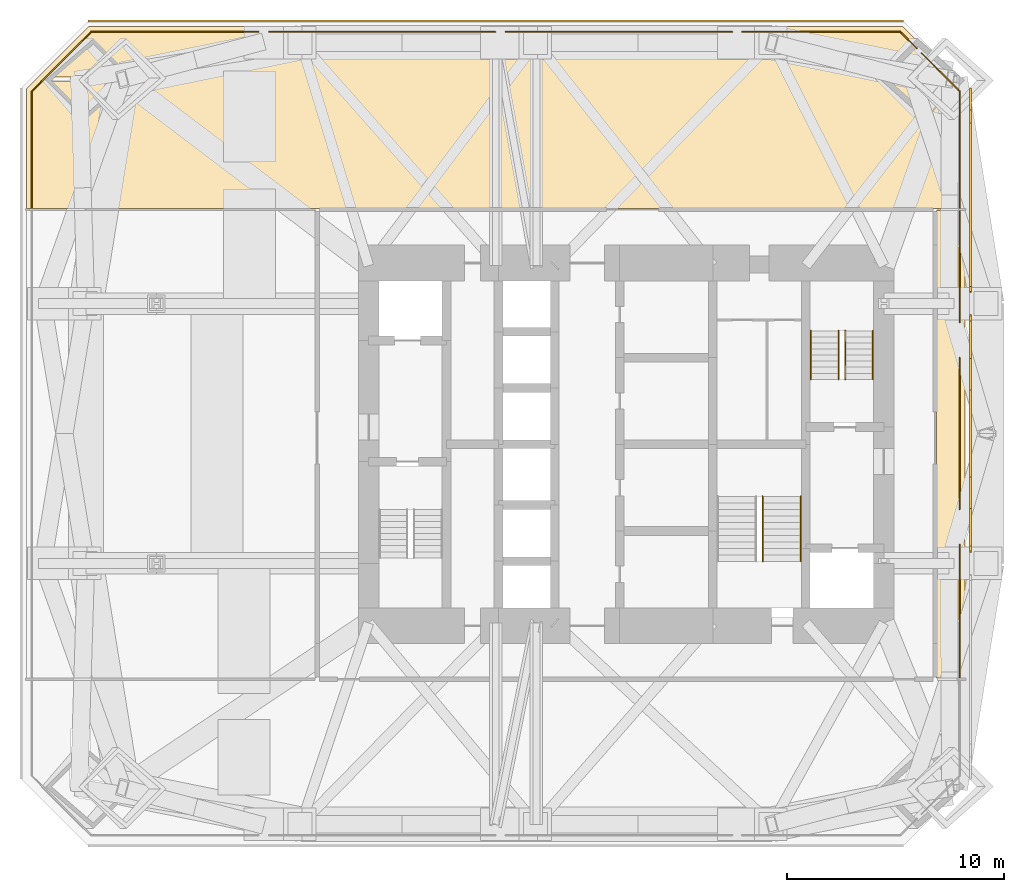
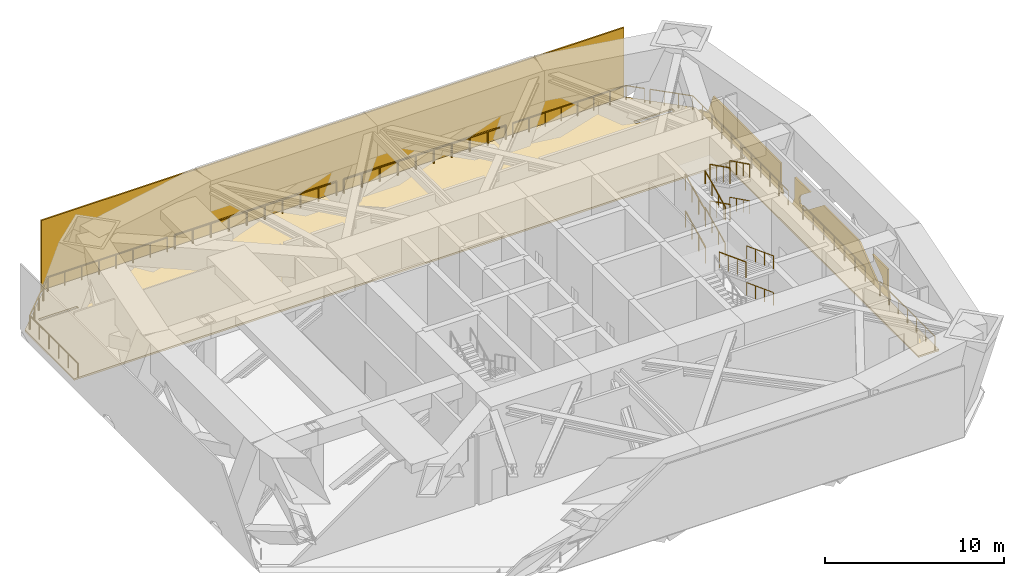
# One storey, part 8 of 8: 23 railings, 3 shading devices, 2 coverings.
"""IFC4 building model written with IfcOpenShell, lengths in metres."""

from ifc_helpers import new_model, si_unit, direction, frame, origin, origin_2d, place, context, subcontext, project, spatial, polyline, rectangle, circle, outline, extrude, material, layer, layer_set, constituent, constituent_set, type_object, element, save


model = new_model("IFC4")

# Units and contexts
model_context = context("Model", 3, precision=1e-05, world=origin(), true_north=direction((0.0, 1.0)))
body_context = subcontext(model_context, "Body", "Model", "MODEL_VIEW")
ifc_project = project(units=[si_unit("LENGTHUNIT", "METRE"), si_unit("AREAUNIT", "SQUARE_METRE"), si_unit("VOLUMEUNIT", "CUBIC_METRE"), si_unit("PLANEANGLEUNIT", "RADIAN"), si_unit("MASSUNIT", "GRAM", prefix="KILO")], contexts=[model_context])

# Site, building, storey
site_placement = place(None, origin())
site = spatial("IfcSite", under=ifc_project, at=site_placement, CompositionType="ELEMENT")
building_placement = place(site_placement, origin())
building = spatial("IfcBuilding", under=site, at=building_placement, Name="Jalousie Tower", CompositionType="ELEMENT")
storey_placement = place(building_placement, frame((0.0, 0.0, 79.75)))
storey = spatial("IfcBuildingStorey", under=building, at=storey_placement, Name="L21", CompositionType="ELEMENT", Elevation=79.75)

# Coverings
ifc_material_1 = material(Name="Sand-cement screed on resilient layer", Category="concrete")
ifc_layer_1 = layer(ifc_material_1, 0.1201171875)
ifc_layer_set_1 = layer_set([ifc_layer_1], Name="Sand-cement screed on resilient layer")
covering_type = type_object("IfcCoveringType", Name="FLOATING PLANT SCREED 120", PredefinedType="FLOORING", material=ifc_layer_set_1)
covering_1_placement = place(storey_placement, origin())
element("IfcCovering", 1, at=covering_1_placement, inside=storey, type_object=covering_type, Name="Floating screed Pump room", PredefinedType="FLOORING", context=body_context, shape_type="SweptSolid", body=[
    extrude(outline(polyline([(4.199951171875, 34.917236328125), (7.082763671875, 37.800048828125), (44.667236328125, 37.800048828125), (47.550048828125, 34.917236328125), (47.550048828125, 29.39990234375), (4.199951171875, 29.39990234375), (4.199951171875, 34.917236328125)]), holes=[polyline([(43.86865234375, 35.24365234375), (46.36865234375, 35.24365234375), (46.36865234375, 35.49365234375), (43.86865234375, 35.49365234375), (43.86865234375, 35.24365234375)]), polyline([(5.38134765625, 35.281005859375), (7.88134765625, 35.281005859375), (7.88134765625, 35.4560546875), (5.38134765625, 35.4560546875), (5.38134765625, 35.281005859375)])]), origin(), (0.0, 0.0, 1.0), 0.1201171875),
])
covering_2_placement = place(storey_placement, origin())
element("IfcCovering", 2, at=covering_2_placement, inside=storey, type_object=covering_type, Name="Floating screed Water tank room", PredefinedType="FLOORING", context=body_context, shape_type="SweptSolid", body=[
    extrude(outline(polyline([(47.550048828125, 29.300048828125), (47.550048828125, 7.699951171875), (46.22509765625, 7.699951171875), (46.22509765625, 29.300048828125), (47.550048828125, 29.300048828125)])), origin(), (0.0, 0.0, 1.0), 0.1201171875),
])

# Railings
ifc_material_2 = material(Name="Stainless steel AISI 316", Category="steel")
railing_type_1 = type_object("IfcRailingType", Name="PLANT GUARDRAIL 1100", PredefinedType="GUARDRAIL", material=ifc_material_2)
railing_1_placement = place(storey_placement, frame((4.449951171875, 29.419921875, 0.0)))
element("IfcRailing", 3, at=railing_1_placement, inside=storey, type_object=railing_type_1, Name="Plant floor guard L21 4", PredefinedType="GUARDRAIL", context=body_context, shape_type="SweptSolid", body=[
    extrude(rectangle(XDim=0.048095703125, YDim=0.048095703125, at=origin_2d()), frame((0.0, 0.0, 1.076171875), z_axis=(0.0, 1.0, 0.0), x_axis=(-1.0, 0.0, 0.0)), (0.0, 0.0, 1.0), 5.393798828125),
    extrude(circle(Radius=0.02099609375, at=origin_2d()), origin(), (0.0, 0.0, 1.0), 1.052001953125),
    extrude(circle(Radius=0.02099609375, at=origin_2d()), frame((0.0, 1.078857421875, 0.0)), (0.0, 0.0, 1.0), 1.052001953125),
    extrude(circle(Radius=0.02099609375, at=origin_2d()), frame((0.0, 2.157470703125, 0.0)), (0.0, 0.0, 1.0), 1.052001953125),
    extrude(circle(Radius=0.02099609375, at=origin_2d()), frame((0.0, 3.236328125, 0.0)), (0.0, 0.0, 1.0), 1.052001953125),
    extrude(circle(Radius=0.02099609375, at=origin_2d()), frame((0.0, 4.31494140625, 0.0)), (0.0, 0.0, 1.0), 1.052001953125),
    extrude(circle(Radius=0.02099609375, at=origin_2d()), frame((0.0, 5.393798828125, 0.0)), (0.0, 0.0, 1.0), 1.052001953125),
])
railing_2_placement = place(storey_placement, frame((4.449951171875, 34.813720703125, 0.0)))
element("IfcRailing", 4, at=railing_2_placement, inside=storey, type_object=railing_type_1, Name="Plant floor guard L21 5", PredefinedType="GUARDRAIL", context=body_context, shape_type="SweptSolid", body=[
    extrude(rectangle(XDim=0.048095703125, YDim=0.048095703125, at=origin_2d()), frame((0.0, 0.0, 1.076171875), z_axis=(0.707106781187, 0.707106781187, 0.0), x_axis=(-0.707106781187, 0.707106781187, 0.0)), (0.0, 0.0, 1.0), 3.869873046875),
    extrude(circle(Radius=0.02099609375, at=origin_2d()), origin(), (0.0, 0.0, 1.0), 1.052001953125),
    extrude(circle(Radius=0.02099609375, at=origin_2d()), frame((0.68408203125, 0.68408203125, 0.0)), (0.0, 0.0, 1.0), 1.052001953125),
    extrude(circle(Radius=0.02099609375, at=origin_2d()), frame((1.3681640625, 1.3681640625, 0.0)), (0.0, 0.0, 1.0), 1.052001953125),
    extrude(circle(Radius=0.02099609375, at=origin_2d()), frame((2.05224609375, 2.05224609375, 0.0)), (0.0, 0.0, 1.0), 1.052001953125),
    extrude(circle(Radius=0.02099609375, at=origin_2d()), frame((2.736328125, 2.736328125, 0.0)), (0.0, 0.0, 1.0), 1.052001953125),
])
railing_3_placement = place(storey_placement, frame((7.186279296875, 37.550048828125, 0.0)))
element("IfcRailing", 5, at=railing_3_placement, inside=storey, type_object=railing_type_1, Name="Plant floor guard L21 6", PredefinedType="GUARDRAIL", context=body_context, shape_type="SweptSolid", body=[
    extrude(rectangle(XDim=0.048095703125, YDim=0.048095703125, at=origin_2d()), frame((0.0, 0.0, 1.076171875), z_axis=(1.0, 0.0, 0.0), x_axis=(0.0, 1.0, 0.0)), (0.0, 0.0, 1.0), 7.731201171875),
    extrude(circle(Radius=0.02099609375, at=origin_2d()), origin(), (0.0, 0.0, 1.0), 1.052001953125),
    extrude(circle(Radius=0.02099609375, at=origin_2d()), frame((1.1044921875, 0.0, 0.0)), (0.0, 0.0, 1.0), 1.052001953125),
    extrude(circle(Radius=0.02099609375, at=origin_2d()), frame((2.208984375, 0.0, 0.0)), (0.0, 0.0, 1.0), 1.052001953125),
    extrude(circle(Radius=0.02099609375, at=origin_2d()), frame((3.3134765625, 0.0, 0.0)), (0.0, 0.0, 1.0), 1.052001953125),
    extrude(circle(Radius=0.02099609375, at=origin_2d()), frame((4.417724609375, 0.0, 0.0)), (0.0, 0.0, 1.0), 1.052001953125),
    extrude(circle(Radius=0.02099609375, at=origin_2d()), frame((5.522216796875, 0.0, 0.0)), (0.0, 0.0, 1.0), 1.052001953125),
    extrude(circle(Radius=0.02099609375, at=origin_2d()), frame((6.626708984375, 0.0, 0.0)), (0.0, 0.0, 1.0), 1.052001953125),
    extrude(circle(Radius=0.02099609375, at=origin_2d()), frame((7.731201171875, 0.0, 0.0)), (0.0, 0.0, 1.0), 1.052001953125),
])
railing_4_placement = place(storey_placement, frame((15.403076171875, 37.550048828125, 0.0)))
element("IfcRailing", 6, at=railing_4_placement, inside=storey, type_object=railing_type_1, Name="Plant floor guard L21 7", PredefinedType="GUARDRAIL", context=body_context, shape_type="SweptSolid", body=[
    extrude(rectangle(XDim=0.048095703125, YDim=0.048095703125, at=origin_2d()), frame((0.0, 0.0, 1.076171875), z_axis=(1.0, 0.0, 0.0), x_axis=(0.0, 1.0, 0.0)), (0.0, 0.0, 1.0), 10.451904296875),
    extrude(circle(Radius=0.02099609375, at=origin_2d()), origin(), (0.0, 0.0, 1.0), 1.052001953125),
    extrude(circle(Radius=0.02099609375, at=origin_2d()), frame((1.161376953125, 0.0, 0.0)), (0.0, 0.0, 1.0), 1.052001953125),
    extrude(circle(Radius=0.02099609375, at=origin_2d()), frame((2.32275390625, 0.0, 0.0)), (0.0, 0.0, 1.0), 1.052001953125),
    extrude(circle(Radius=0.02099609375, at=origin_2d()), frame((3.48388671875, 0.0, 0.0)), (0.0, 0.0, 1.0), 1.052001953125),
    extrude(circle(Radius=0.02099609375, at=origin_2d()), frame((4.645263671875, 0.0, 0.0)), (0.0, 0.0, 1.0), 1.052001953125),
    extrude(circle(Radius=0.02099609375, at=origin_2d()), frame((5.806640625, 0.0, 0.0)), (0.0, 0.0, 1.0), 1.052001953125),
    extrude(circle(Radius=0.02099609375, at=origin_2d()), frame((6.968017578125, 0.0, 0.0)), (0.0, 0.0, 1.0), 1.052001953125),
    extrude(circle(Radius=0.02099609375, at=origin_2d()), frame((8.129150390625, 0.0, 0.0)), (0.0, 0.0, 1.0), 1.052001953125),
    extrude(circle(Radius=0.02099609375, at=origin_2d()), frame((9.29052734375, 0.0, 0.0)), (0.0, 0.0, 1.0), 1.052001953125),
    extrude(circle(Radius=0.02099609375, at=origin_2d()), frame((10.451904296875, 0.0, 0.0)), (0.0, 0.0, 1.0), 1.052001953125),
])
railing_5_placement = place(storey_placement, frame((26.326416015625, 37.550048828125, 0.0)))
element("IfcRailing", 7, at=railing_5_placement, inside=storey, type_object=railing_type_1, Name="Plant floor guard L21 8", PredefinedType="GUARDRAIL", context=body_context, shape_type="SweptSolid", body=[
    extrude(rectangle(XDim=0.048095703125, YDim=0.048095703125, at=origin_2d()), frame((0.0, 0.0, 1.076171875), z_axis=(1.0, 0.0, 0.0), x_axis=(0.0, 1.0, 0.0)), (0.0, 0.0, 1.0), 10.466064453125),
    extrude(circle(Radius=0.02099609375, at=origin_2d()), origin(), (0.0, 0.0, 1.0), 1.052001953125),
    extrude(circle(Radius=0.02099609375, at=origin_2d()), frame((1.162841796875, 0.0, 0.0)), (0.0, 0.0, 1.0), 1.052001953125),
    extrude(circle(Radius=0.02099609375, at=origin_2d()), frame((2.32568359375, 0.0, 0.0)), (0.0, 0.0, 1.0), 1.052001953125),
    extrude(circle(Radius=0.02099609375, at=origin_2d()), frame((3.48876953125, 0.0, 0.0)), (0.0, 0.0, 1.0), 1.052001953125),
    extrude(circle(Radius=0.02099609375, at=origin_2d()), frame((4.651611328125, 0.0, 0.0)), (0.0, 0.0, 1.0), 1.052001953125),
    extrude(circle(Radius=0.02099609375, at=origin_2d()), frame((5.814453125, 0.0, 0.0)), (0.0, 0.0, 1.0), 1.052001953125),
    extrude(circle(Radius=0.02099609375, at=origin_2d()), frame((6.977294921875, 0.0, 0.0)), (0.0, 0.0, 1.0), 1.052001953125),
    extrude(circle(Radius=0.02099609375, at=origin_2d()), frame((8.140380859375, 0.0, 0.0)), (0.0, 0.0, 1.0), 1.052001953125),
    extrude(circle(Radius=0.02099609375, at=origin_2d()), frame((9.30322265625, 0.0, 0.0)), (0.0, 0.0, 1.0), 1.052001953125),
    extrude(circle(Radius=0.02099609375, at=origin_2d()), frame((10.466064453125, 0.0, 0.0)), (0.0, 0.0, 1.0), 1.052001953125),
])
railing_6_placement = place(storey_placement, frame((37.24951171875, 37.550048828125, 0.0)))
element("IfcRailing", 8, at=railing_6_placement, inside=storey, type_object=railing_type_1, Name="Plant floor guard L21 9", PredefinedType="GUARDRAIL", context=body_context, shape_type="SweptSolid", body=[
    extrude(rectangle(XDim=0.048095703125, YDim=0.048095703125, at=origin_2d()), frame((0.0, 0.0, 1.076171875), z_axis=(1.0, 0.0, 0.0), x_axis=(0.0, 1.0, 0.0)), (0.0, 0.0, 1.0), 7.314208984375),
    extrude(circle(Radius=0.02099609375, at=origin_2d()), origin(), (0.0, 0.0, 1.0), 1.052001953125),
    extrude(circle(Radius=0.02099609375, at=origin_2d()), frame((1.044921875, 0.0, 0.0)), (0.0, 0.0, 1.0), 1.052001953125),
    extrude(circle(Radius=0.02099609375, at=origin_2d()), frame((2.08984375, 0.0, 0.0)), (0.0, 0.0, 1.0), 1.052001953125),
    extrude(circle(Radius=0.02099609375, at=origin_2d()), frame((3.134765625, 0.0, 0.0)), (0.0, 0.0, 1.0), 1.052001953125),
    extrude(circle(Radius=0.02099609375, at=origin_2d()), frame((4.179443359375, 0.0, 0.0)), (0.0, 0.0, 1.0), 1.052001953125),
    extrude(circle(Radius=0.02099609375, at=origin_2d()), frame((5.224365234375, 0.0, 0.0)), (0.0, 0.0, 1.0), 1.052001953125),
    extrude(circle(Radius=0.02099609375, at=origin_2d()), frame((6.269287109375, 0.0, 0.0)), (0.0, 0.0, 1.0), 1.052001953125),
    extrude(circle(Radius=0.02099609375, at=origin_2d()), frame((7.314208984375, 0.0, 0.0)), (0.0, 0.0, 1.0), 1.052001953125),
])
railing_7_placement = place(storey_placement, frame((44.563720703125, 37.550048828125, 0.0)))
element("IfcRailing", 9, at=railing_7_placement, inside=storey, type_object=railing_type_1, Name="Plant floor guard L21 10", PredefinedType="GUARDRAIL", context=body_context, shape_type="SweptSolid", body=[
    extrude(rectangle(XDim=0.048095703125, YDim=0.048095703125, at=origin_2d()), frame((0.0, 0.0, 1.076171875), z_axis=(0.706993399199, -0.707220144997, 0.0), x_axis=(0.707220144997, 0.706993399199, 0.0)), (0.0, 0.0, 1.0), 1.07666015625),
    extrude(circle(Radius=0.02099609375, at=origin_2d()), origin(), (0.0, 0.0, 1.0), 1.052001953125),
    extrude(circle(Radius=0.02099609375, at=origin_2d()), frame((0.76123046875, -0.761474609375, 0.0)), (0.0, 0.0, 1.0), 1.052001953125),
])
railing_8_placement = place(storey_placement, frame((45.541015625, 36.572509765625, 0.0)))
element("IfcRailing", 10, at=railing_8_placement, inside=storey, type_object=railing_type_1, Name="Plant floor guard L21 11", PredefinedType="GUARDRAIL", context=body_context, shape_type="SweptSolid", body=[
    extrude(rectangle(XDim=0.048095703125, YDim=0.048095703125, at=origin_2d()), frame((0.0, 0.0, 1.076171875), z_axis=(0.70715585345, -0.707057705517, 0.0), x_axis=(0.707057705517, 0.70715585345, 0.0)), (0.0, 0.0, 1.0), 2.487548828125),
    extrude(circle(Radius=0.02099609375, at=origin_2d()), origin(), (0.0, 0.0, 1.0), 1.052001953125),
    extrude(circle(Radius=0.02099609375, at=origin_2d()), frame((0.58642578125, -0.586181640625, 0.0)), (0.0, 0.0, 1.0), 1.052001953125),
    extrude(circle(Radius=0.02099609375, at=origin_2d()), frame((1.172607421875, -1.172607421875, 0.0)), (0.0, 0.0, 1.0), 1.052001953125),
    extrude(circle(Radius=0.02099609375, at=origin_2d()), frame((1.759033203125, -1.7587890625, 0.0)), (0.0, 0.0, 1.0), 1.052001953125),
])
railing_9_placement = place(storey_placement, frame((47.300048828125, 13.872314453125, 0.0)))
element("IfcRailing", 11, at=railing_9_placement, inside=storey, type_object=railing_type_1, Name="Plant floor guard L21 13", PredefinedType="GUARDRAIL", context=body_context, shape_type="SweptSolid", body=[
    extrude(rectangle(XDim=0.048095703125, YDim=0.048095703125, at=origin_2d()), frame((0.0, 0.0, 1.076171875), z_axis=(0.0, -1.0, 0.0), x_axis=(1.0, 0.0, 0.0)), (0.0, 0.0, 1.0), 6.15234375),
    extrude(circle(Radius=0.02099609375, at=origin_2d()), origin(), (0.0, 0.0, 1.0), 1.052001953125),
    extrude(circle(Radius=0.02099609375, at=origin_2d()), frame((0.0, -1.025390625, 0.0)), (0.0, 0.0, 1.0), 1.052001953125),
    extrude(circle(Radius=0.02099609375, at=origin_2d()), frame((0.0, -2.05078125, 0.0)), (0.0, 0.0, 1.0), 1.052001953125),
    extrude(circle(Radius=0.02099609375, at=origin_2d()), frame((0.0, -3.076171875, 0.0)), (0.0, 0.0, 1.0), 1.052001953125),
    extrude(circle(Radius=0.02099609375, at=origin_2d()), frame((0.0, -4.1015625, 0.0)), (0.0, 0.0, 1.0), 1.052001953125),
    extrude(circle(Radius=0.02099609375, at=origin_2d()), frame((0.0, -5.126953125, 0.0)), (0.0, 0.0, 1.0), 1.052001953125),
    extrude(circle(Radius=0.02099609375, at=origin_2d()), frame((0.0, -6.15234375, 0.0)), (0.0, 0.0, 1.0), 1.052001953125),
])
railing_10_placement = place(storey_placement, frame((47.300048828125, 22.4931640625, 0.0)))
element("IfcRailing", 12, at=railing_10_placement, inside=storey, type_object=railing_type_1, Name="Plant floor guard L21 14", PredefinedType="GUARDRAIL", context=body_context, shape_type="SweptSolid", body=[
    extrude(rectangle(XDim=0.048095703125, YDim=0.048095703125, at=origin_2d()), frame((0.0, 0.0, 1.076171875), z_axis=(0.0, -1.0, 0.0), x_axis=(1.0, 0.0, 0.0)), (0.0, 0.0, 1.0), 6.986328125),
    extrude(circle(Radius=0.02099609375, at=origin_2d()), origin(), (0.0, 0.0, 1.0), 1.052001953125),
    extrude(circle(Radius=0.02099609375, at=origin_2d()), frame((0.0, -1.164306640625, 0.0)), (0.0, 0.0, 1.0), 1.052001953125),
    extrude(circle(Radius=0.02099609375, at=origin_2d()), frame((0.0, -2.328857421875, 0.0)), (0.0, 0.0, 1.0), 1.052001953125),
    extrude(circle(Radius=0.02099609375, at=origin_2d()), frame((0.0, -3.4931640625, 0.0)), (0.0, 0.0, 1.0), 1.052001953125),
    extrude(circle(Radius=0.02099609375, at=origin_2d()), frame((0.0, -4.657470703125, 0.0)), (0.0, 0.0, 1.0), 1.052001953125),
    extrude(circle(Radius=0.02099609375, at=origin_2d()), frame((0.0, -5.822021484375, 0.0)), (0.0, 0.0, 1.0), 1.052001953125),
    extrude(circle(Radius=0.02099609375, at=origin_2d()), frame((0.0, -6.986328125, 0.0)), (0.0, 0.0, 1.0), 1.052001953125),
])
railing_11_placement = place(storey_placement, frame((47.300048828125, 29.280029296875, 0.0)))
element("IfcRailing", 13, at=railing_11_placement, inside=storey, type_object=railing_type_1, Name="Plant floor guard L21 15", PredefinedType="GUARDRAIL", context=body_context, shape_type="SweptSolid", body=[
    extrude(rectangle(XDim=0.048095703125, YDim=0.048095703125, at=origin_2d()), frame((0.0, 0.0, 1.076171875), z_axis=(0.0, -1.0, 0.0), x_axis=(1.0, 0.0, 0.0)), (0.0, 0.0, 1.0), 5.15234375),
    extrude(circle(Radius=0.02099609375, at=origin_2d()), origin(), (0.0, 0.0, 1.0), 1.052001953125),
    extrude(circle(Radius=0.02099609375, at=origin_2d()), frame((0.0, -1.030517578125, 0.0)), (0.0, 0.0, 1.0), 1.052001953125),
    extrude(circle(Radius=0.02099609375, at=origin_2d()), frame((0.0, -2.06103515625, 0.0)), (0.0, 0.0, 1.0), 1.052001953125),
    extrude(circle(Radius=0.02099609375, at=origin_2d()), frame((0.0, -3.09130859375, 0.0)), (0.0, 0.0, 1.0), 1.052001953125),
    extrude(circle(Radius=0.02099609375, at=origin_2d()), frame((0.0, -4.121826171875, 0.0)), (0.0, 0.0, 1.0), 1.052001953125),
    extrude(circle(Radius=0.02099609375, at=origin_2d()), frame((0.0, -5.15234375, 0.0)), (0.0, 0.0, 1.0), 1.052001953125),
])
railing_12_placement = place(storey_placement, frame((47.300048828125, 34.813720703125, 0.0)))
element("IfcRailing", 14, at=railing_12_placement, inside=storey, type_object=railing_type_1, Name="Plant floor guard L21 16", PredefinedType="GUARDRAIL", context=body_context, shape_type="SweptSolid", body=[
    extrude(rectangle(XDim=0.048095703125, YDim=0.048095703125, at=origin_2d()), frame((0.0, 0.0, 1.076171875), z_axis=(0.0, -1.0, 0.0), x_axis=(1.0, 0.0, 0.0)), (0.0, 0.0, 1.0), 5.393798828125),
    extrude(circle(Radius=0.02099609375, at=origin_2d()), origin(), (0.0, 0.0, 1.0), 1.052001953125),
    extrude(circle(Radius=0.02099609375, at=origin_2d()), frame((0.0, -1.078857421875, 0.0)), (0.0, 0.0, 1.0), 1.052001953125),
    extrude(circle(Radius=0.02099609375, at=origin_2d()), frame((0.0, -2.157470703125, 0.0)), (0.0, 0.0, 1.0), 1.052001953125),
    extrude(circle(Radius=0.02099609375, at=origin_2d()), frame((0.0, -3.236328125, 0.0)), (0.0, 0.0, 1.0), 1.052001953125),
    extrude(circle(Radius=0.02099609375, at=origin_2d()), frame((0.0, -4.31494140625, 0.0)), (0.0, 0.0, 1.0), 1.052001953125),
    extrude(circle(Radius=0.02099609375, at=origin_2d()), frame((0.0, -5.393798828125, 0.0)), (0.0, 0.0, 1.0), 1.052001953125),
])

# Shading devices
ifc_material_3 = material(Name="Aluminium storm louvres", Category="aluminium")
ifc_layer_2 = layer(ifc_material_3, 0.10009765625)
ifc_layer_set_2 = layer_set([ifc_layer_2], Name="Aluminium storm louvres")
shading_device_type = type_object("IfcShadingDeviceType", Name="PLANT LOUVRE SCREEN", PredefinedType="JALOUSIE", material=ifc_layer_set_2)
shading_device_1_placement = place(storey_placement, frame((47.85009765625, 13.512939453125, -0.14990234375), z_axis=(1.0, 0.0, 0.0), x_axis=(0.0, 1.0, 0.0)))
element("IfcShadingDevice", 15, at=shading_device_1_placement, inside=storey, type_object=shading_device_type, Name="Plant louvre screen L21 3", PredefinedType="JALOUSIE", context=body_context, shape_type="SweptSolid", body=[
    extrude(outline(polyline([(0.0, 0.0), (10.97412109375, 0.0), (10.92138671875, 0.021728515625), (10.68701171875, 0.58740234375), (10.68701171875, 1.949951171875), (8.96142578125, 1.949951171875), (10.03955078125, 1.10546875), (10.208740234375, 0.805419921875), (10.116455078125, 0.4736328125), (9.81640625, 0.304443359375), (9.484619140625, 0.39697265625), (7.501953125, 1.949951171875), (3.47216796875, 1.949951171875), (1.489501953125, 0.39697265625), (1.15771484375, 0.304443359375), (0.857666015625, 0.4736328125), (0.765380859375, 0.805419921875), (0.9345703125, 1.10546875), (2.0126953125, 1.949951171875), (0.287109375, 1.949951171875), (0.287109375, 0.58740234375), (0.052734375, 0.021728515625), (0.0, 0.0)])), origin(), (0.0, 0.0, -1.0), 0.10009765625),
])
shading_device_2_placement = place(storey_placement, frame((47.85009765625, 34.949951171875, -0.14990234375), z_axis=(1.0, 0.0, 0.0), x_axis=(0.0, 0.0, 1.0)))
element("IfcShadingDevice", 16, at=shading_device_2_placement, inside=storey, type_object=shading_device_type, Name="Plant louvre screen L21 4", PredefinedType="JALOUSIE", context=body_context, shape_type="SweptSolid", body=[
    extrude(outline(polyline([(0.0, 0.0), (0.04345703125, 0.0), (0.464599609375, 1.016845703125), (1.949951171875, 1.611328125), (1.949951171875, 9.14990234375), (0.58740234375, 9.14990234375), (0.021728515625, 9.38427734375), (0.0, 9.43701171875), (0.0, 0.0)])), origin(), (0.0, 0.0, -1.0), 0.10009765625),
])
shading_device_3_placement = place(storey_placement, frame((7.050048828125, 38.10009765625, -0.14990234375), z_axis=(0.0, 1.0, 0.0), x_axis=(0.0, 0.0, 1.0)))
element("IfcShadingDevice", 17, at=shading_device_3_placement, inside=storey, type_object=shading_device_type, Name="Plant louvre screen L21 5", PredefinedType="JALOUSIE", context=body_context, shape_type="SweptSolid", body=[
    extrude(outline(polyline([(0.0, 0.0), (4.869873046875, 0.0), (4.869873046875, 37.64990234375), (0.0, 37.64990234375), (0.0, 0.0)])), origin(), (0.0, 0.0, -1.0), 0.10009765625),
])

# Railings
ifc_material_4 = material(Name="Steel ASTM A500 Grade C", Category="steel")
ifc_constituent_1 = constituent(ifc_material_4, Name="Body")
ifc_material_5 = material(Name="Hot-dip galvanised zinc coating")
ifc_constituent_2 = constituent(ifc_material_5, Name="Finish")
ifc_constituent_set_1 = constituent_set(constituents=[ifc_constituent_1, ifc_constituent_2])
railing_type_2 = type_object("IfcRailingType", Name="STAIR GUARD 1100", PredefinedType="GUARDRAIL", material=ifc_constituent_set_1)
railing_13_placement = place(storey_placement, frame((40.43017578125, 21.50244140625, 0.138916015625)))
element("IfcRailing", 18, at=railing_13_placement, inside=storey, type_object=railing_type_2, Name="Exit stair B guard L21 flight 1", PredefinedType="GUARDRAIL", context=body_context, shape_type="SweptSolid", body=[
    extrude(rectangle(XDim=0.048095703125, YDim=0.048095703125, at=origin_2d()), frame((0.0, 0.0, 1.076171875), z_axis=(0.0, 0.895848192791, 0.444360231651), x_axis=(-1.0, 0.0, 0.0)), (0.0, 0.0, 1.0), 2.50048828125),
    extrude(circle(Radius=0.02099609375, at=origin_2d()), origin(), (0.0, 0.0, 1.0), 1.052001953125),
    extrude(circle(Radius=0.02099609375, at=origin_2d()), frame((0.0, 0.74658203125, 0.370361328125)), (0.0, 0.0, 1.0), 1.052001953125),
    extrude(circle(Radius=0.02099609375, at=origin_2d()), frame((0.0, 1.493408203125, 0.74072265625)), (0.0, 0.0, 1.0), 1.052001953125),
    extrude(circle(Radius=0.02099609375, at=origin_2d()), frame((0.0, 2.239990234375, 1.111083984375)), (0.0, 0.0, 1.0), 1.052001953125),
])
railing_14_placement = place(storey_placement, frame((42.017578125, 23.742431640625, 1.388916015625)))
element("IfcRailing", 19, at=railing_14_placement, inside=storey, type_object=railing_type_2, Name="Exit stair B guard L21 flight 2", PredefinedType="GUARDRAIL", context=body_context, shape_type="SweptSolid", body=[
    extrude(rectangle(XDim=0.048095703125, YDim=0.048095703125, at=origin_2d()), frame((0.0, 0.0, 1.076171875), z_axis=(0.0, -0.895848192791, 0.444360231651), x_axis=(1.0, 0.0, 0.0)), (0.0, 0.0, 1.0), 2.50048828125),
    extrude(circle(Radius=0.02099609375, at=origin_2d()), origin(), (0.0, 0.0, 1.0), 1.052001953125),
    extrude(circle(Radius=0.02099609375, at=origin_2d()), frame((0.0, -0.74658203125, 0.370361328125)), (0.0, 0.0, 1.0), 1.052001953125),
    extrude(circle(Radius=0.02099609375, at=origin_2d()), frame((0.0, -1.493408203125, 0.74072265625)), (0.0, 0.0, 1.0), 1.052001953125),
    extrude(circle(Radius=0.02099609375, at=origin_2d()), frame((0.0, -2.239990234375, 1.111083984375)), (0.0, 0.0, 1.0), 1.052001953125),
])
railing_15_placement = place(storey_placement, frame((40.43017578125, 21.50244140625, 2.638916015625)))
element("IfcRailing", 20, at=railing_15_placement, inside=storey, type_object=railing_type_2, Name="Exit stair B guard L21 flight 3", PredefinedType="GUARDRAIL", context=body_context, shape_type="SweptSolid", body=[
    extrude(rectangle(XDim=0.048095703125, YDim=0.048095703125, at=origin_2d()), frame((0.0, 0.0, 1.076171875), z_axis=(0.0, 0.895848192791, 0.444360231651), x_axis=(-1.0, 0.0, 0.0)), (0.0, 0.0, 1.0), 2.50048828125),
    extrude(circle(Radius=0.02099609375, at=origin_2d()), origin(), (0.0, 0.0, 1.0), 1.052001953125),
    extrude(circle(Radius=0.02099609375, at=origin_2d()), frame((0.0, 0.74658203125, 0.370361328125)), (0.0, 0.0, 1.0), 1.052001953125),
    extrude(circle(Radius=0.02099609375, at=origin_2d()), frame((0.0, 1.493408203125, 0.74072265625)), (0.0, 0.0, 1.0), 1.052001953125),
    extrude(circle(Radius=0.02099609375, at=origin_2d()), frame((0.0, 2.239990234375, 1.111083984375)), (0.0, 0.0, 1.0), 1.052001953125),
])
railing_16_placement = place(storey_placement, frame((42.017578125, 23.742431640625, 3.888916015625)))
element("IfcRailing", 21, at=railing_16_placement, inside=storey, type_object=railing_type_2, Name="Exit stair B guard L21 flight 4", PredefinedType="GUARDRAIL", context=body_context, shape_type="SweptSolid", body=[
    extrude(rectangle(XDim=0.048095703125, YDim=0.048095703125, at=origin_2d()), frame((0.0, 0.0, 1.076171875), z_axis=(0.0, -0.895848192791, 0.444360231651), x_axis=(1.0, 0.0, 0.0)), (0.0, 0.0, 1.0), 2.50048828125),
    extrude(circle(Radius=0.02099609375, at=origin_2d()), origin(), (0.0, 0.0, 1.0), 1.052001953125),
    extrude(circle(Radius=0.02099609375, at=origin_2d()), frame((0.0, -0.74658203125, 0.370361328125)), (0.0, 0.0, 1.0), 1.052001953125),
    extrude(circle(Radius=0.02099609375, at=origin_2d()), frame((0.0, -1.493408203125, 0.74072265625)), (0.0, 0.0, 1.0), 1.052001953125),
    extrude(circle(Radius=0.02099609375, at=origin_2d()), frame((0.0, -2.239990234375, 1.111083984375)), (0.0, 0.0, 1.0), 1.052001953125),
])
railing_17_placement = place(storey_placement, frame((38.205078125, 16.097412109375, 3.863525390625)))
element("IfcRailing", 22, at=railing_17_placement, inside=storey, type_object=railing_type_2, Name="Exit stair C guard L21 flight 4", PredefinedType="GUARDRAIL", context=body_context, shape_type="SweptSolid", body=[
    extrude(rectangle(XDim=0.048095703125, YDim=0.048095703125, at=origin_2d()), frame((0.0, 0.0, 1.076171875), z_axis=(0.0, -0.935147985876, 0.354257313985), x_axis=(1.0, 0.0, 0.0)), (0.0, 0.0, 1.0), 3.2080078125),
    extrude(circle(Radius=0.02099609375, at=origin_2d()), origin(), (0.0, 0.0, 1.0), 1.052001953125),
    extrude(circle(Radius=0.02099609375, at=origin_2d()), frame((0.0, -1.0, 0.37890625)), (0.0, 0.0, 1.0), 1.052001953125),
    extrude(circle(Radius=0.02099609375, at=origin_2d()), frame((0.0, -2.0, 0.757568359375)), (0.0, 0.0, 1.0), 1.052001953125),
    extrude(circle(Radius=0.02099609375, at=origin_2d()), frame((0.0, -3.0, 1.136474609375)), (0.0, 0.0, 1.0), 1.052001953125),
])
ifc_material_6 = material(Name="Steel ASTM A500 Grade C", Category="steel")
ifc_constituent_3 = constituent(ifc_material_6, Name="Body")
ifc_material_7 = material(Name="Hot-dip galvanised zinc coating")
ifc_constituent_4 = constituent(ifc_material_7, Name="Finish")
ifc_constituent_set_2 = constituent_set(constituents=[ifc_constituent_3, ifc_constituent_4])
railing_type_3 = type_object("IfcRailingType", Name="STAIR HANDRAIL 900", PredefinedType="HANDRAIL", material=ifc_constituent_set_2)
railing_18_placement = place(storey_placement, frame((41.70751953125, 21.50244140625, 0.138916015625)))
element("IfcRailing", 23, at=railing_18_placement, inside=storey, type_object=railing_type_3, Name="Exit stair B handrail L21 flight 1", PredefinedType="HANDRAIL", context=body_context, shape_type="SweptSolid", body=[
    extrude(circle(Radius=0.02392578125, at=origin_2d()), frame((0.0, 0.0, 0.8759765625), z_axis=(0.0, 0.895848192791, 0.444360231651), x_axis=(-1.0, 0.0, 0.0)), (0.0, 0.0, 1.0), 2.50048828125),
    extrude(circle(Radius=0.02099609375, at=origin_2d()), origin(), (0.0, 0.0, 1.0), 0.851806640625),
    extrude(circle(Radius=0.02099609375, at=origin_2d()), frame((0.0, 0.74658203125, 0.370361328125)), (0.0, 0.0, 1.0), 0.851806640625),
    extrude(circle(Radius=0.02099609375, at=origin_2d()), frame((0.0, 1.493408203125, 0.74072265625)), (0.0, 0.0, 1.0), 0.851806640625),
    extrude(circle(Radius=0.02099609375, at=origin_2d()), frame((0.0, 2.239990234375, 1.111083984375)), (0.0, 0.0, 1.0), 0.851806640625),
])
railing_19_placement = place(storey_placement, frame((43.294921875, 23.742431640625, 1.388916015625)))
element("IfcRailing", 24, at=railing_19_placement, inside=storey, type_object=railing_type_3, Name="Exit stair B handrail L21 flight 2", PredefinedType="HANDRAIL", context=body_context, shape_type="SweptSolid", body=[
    extrude(circle(Radius=0.02392578125, at=origin_2d()), frame((0.0, 0.0, 0.8759765625), z_axis=(0.0, -0.895848192791, 0.444360231651), x_axis=(1.0, 0.0, 0.0)), (0.0, 0.0, 1.0), 2.50048828125),
    extrude(circle(Radius=0.02099609375, at=origin_2d()), origin(), (0.0, 0.0, 1.0), 0.851806640625),
    extrude(circle(Radius=0.02099609375, at=origin_2d()), frame((0.0, -0.74658203125, 0.370361328125)), (0.0, 0.0, 1.0), 0.851806640625),
    extrude(circle(Radius=0.02099609375, at=origin_2d()), frame((0.0, -1.493408203125, 0.74072265625)), (0.0, 0.0, 1.0), 0.851806640625),
    extrude(circle(Radius=0.02099609375, at=origin_2d()), frame((0.0, -2.239990234375, 1.111083984375)), (0.0, 0.0, 1.0), 0.851806640625),
])
railing_20_placement = place(storey_placement, frame((41.70751953125, 21.50244140625, 2.638916015625)))
element("IfcRailing", 25, at=railing_20_placement, inside=storey, type_object=railing_type_3, Name="Exit stair B handrail L21 flight 3", PredefinedType="HANDRAIL", context=body_context, shape_type="SweptSolid", body=[
    extrude(circle(Radius=0.02392578125, at=origin_2d()), frame((0.0, 0.0, 0.8759765625), z_axis=(0.0, 0.895848192791, 0.444360231651), x_axis=(-1.0, 0.0, 0.0)), (0.0, 0.0, 1.0), 2.50048828125),
    extrude(circle(Radius=0.02099609375, at=origin_2d()), origin(), (0.0, 0.0, 1.0), 0.851806640625),
    extrude(circle(Radius=0.02099609375, at=origin_2d()), frame((0.0, 0.74658203125, 0.370361328125)), (0.0, 0.0, 1.0), 0.851806640625),
    extrude(circle(Radius=0.02099609375, at=origin_2d()), frame((0.0, 1.493408203125, 0.74072265625)), (0.0, 0.0, 1.0), 0.851806640625),
    extrude(circle(Radius=0.02099609375, at=origin_2d()), frame((0.0, 2.239990234375, 1.111083984375)), (0.0, 0.0, 1.0), 0.851806640625),
])
railing_21_placement = place(storey_placement, frame((43.294921875, 23.742431640625, 3.888916015625)))
element("IfcRailing", 26, at=railing_21_placement, inside=storey, type_object=railing_type_3, Name="Exit stair B handrail L21 flight 4", PredefinedType="HANDRAIL", context=body_context, shape_type="SweptSolid", body=[
    extrude(circle(Radius=0.02392578125, at=origin_2d()), frame((0.0, 0.0, 0.8759765625), z_axis=(0.0, -0.895848192791, 0.444360231651), x_axis=(1.0, 0.0, 0.0)), (0.0, 0.0, 1.0), 2.50048828125),
    extrude(circle(Radius=0.02099609375, at=origin_2d()), origin(), (0.0, 0.0, 1.0), 0.851806640625),
    extrude(circle(Radius=0.02099609375, at=origin_2d()), frame((0.0, -0.74658203125, 0.370361328125)), (0.0, 0.0, 1.0), 0.851806640625),
    extrude(circle(Radius=0.02099609375, at=origin_2d()), frame((0.0, -1.493408203125, 0.74072265625)), (0.0, 0.0, 1.0), 0.851806640625),
    extrude(circle(Radius=0.02099609375, at=origin_2d()), frame((0.0, -2.239990234375, 1.111083984375)), (0.0, 0.0, 1.0), 0.851806640625),
])
for number, where, name in (
    (27, (39.969970703125, 16.097412109375, 1.363525390625), "Exit stair C handrail L21 flight 2"),
    (28, (39.969970703125, 16.097412109375, 3.863525390625), "Exit stair C handrail L21 flight 4"),
):
    element("IfcRailing", number, at=place(storey_placement, frame(where)), inside=storey, type_object=railing_type_3, Name=name, PredefinedType="HANDRAIL", context=body_context, shape_type="SweptSolid", body=[
        extrude(circle(Radius=0.02392578125, at=origin_2d()), frame((0.0, 0.0, 0.8759765625), z_axis=(0.0, -0.935147985876, 0.354257313985), x_axis=(1.0, 0.0, 0.0)), (0.0, 0.0, 1.0), 3.2080078125),
        extrude(circle(Radius=0.02099609375, at=origin_2d()), origin(), (0.0, 0.0, 1.0), 0.851806640625),
        extrude(circle(Radius=0.02099609375, at=origin_2d()), frame((0.0, -1.0, 0.37890625)), (0.0, 0.0, 1.0), 0.851806640625),
        extrude(circle(Radius=0.02099609375, at=origin_2d()), frame((0.0, -2.0, 0.757568359375)), (0.0, 0.0, 1.0), 0.851806640625),
        extrude(circle(Radius=0.02099609375, at=origin_2d()), frame((0.0, -3.0, 1.136474609375)), (0.0, 0.0, 1.0), 0.851806640625),
    ])

save(model, "model.ifc")
